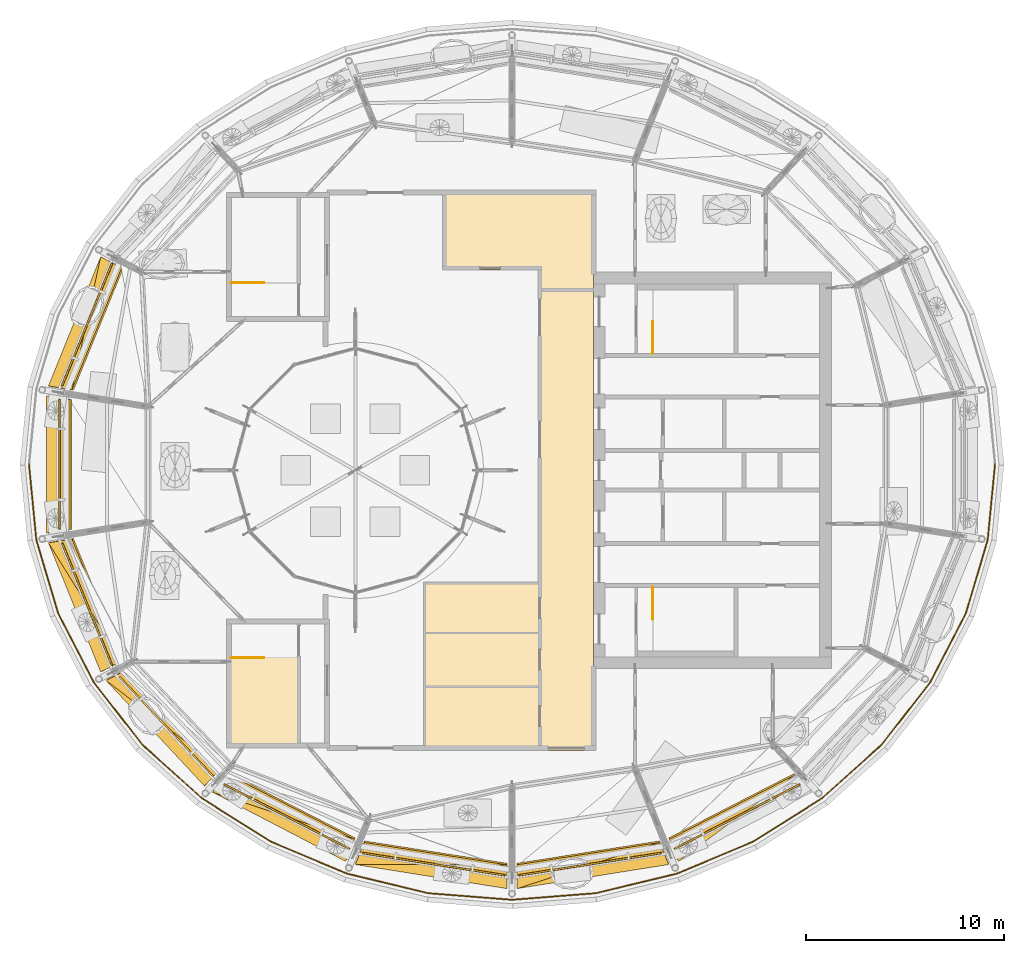
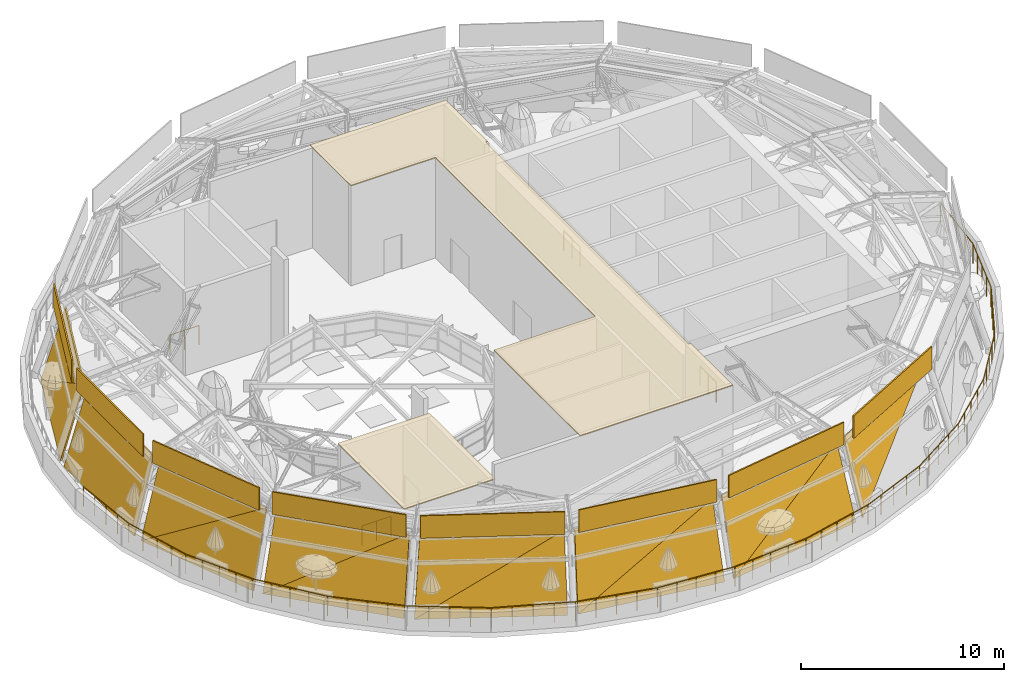
# One storey, part 29 of 40: 22 shading devices, 5 railings, 2 coverings.
"""IFC4 building model written with IfcOpenShell, lengths in metres."""

from ifc_helpers import new_model, si_unit, direction, frame, origin, origin_2d, place, context, subcontext, project, spatial, polyline, circle, outline, extrude, material, layer, layer_set, type_object, element, save


model = new_model("IFC4")

# Units and contexts
model_context = context("Model", 3, precision=1e-05, world=origin(), true_north=direction((0.0, 1.0)))
body_context = subcontext(model_context, "Body", "Model", "MODEL_VIEW")
ifc_project = project(units=[si_unit("LENGTHUNIT", "METRE"), si_unit("AREAUNIT", "SQUARE_METRE"), si_unit("VOLUMEUNIT", "CUBIC_METRE"), si_unit("PLANEANGLEUNIT", "RADIAN"), si_unit("MASSUNIT", "GRAM", prefix="KILO")], contexts=[model_context])

# Site, building, storey
site_placement = place(None, origin())
site = spatial("IfcSite", under=ifc_project, at=site_placement, CompositionType="ELEMENT")
building_placement = place(site_placement, origin())
building = spatial("IfcBuilding", under=site, at=building_placement, Name="Taillehof Tower", CompositionType="ELEMENT")
storey_placement = place(building_placement, frame((0.0, 0.0, 275.199951171875)))
storey = spatial("IfcBuildingStorey", under=building, at=storey_placement, Name="L77", CompositionType="ELEMENT", Elevation=275.199951171875)

# Shading devices
ifc_material_1 = material(Name="Aluminium louvre blades with fritted glass backing", Category="aluminium")
ifc_layer_1 = layer(ifc_material_1, 0.080078125)
ifc_layer_set_1 = layer_set([ifc_layer_1], Name="Crown louvre screen 80")
shading_device_type = type_object("IfcShadingDeviceType", Name="Crown louvre screen 80", PredefinedType="USERDEFINED", material=ifc_layer_set_1)
shading_device_1_placement = place(storey_placement, frame((-20.83642578125, 10.764404296875, 0.0), z_axis=(-0.894517527651, 0.361678422802, 0.262730110959), x_axis=(-0.374847037796, -0.927086672461, 0.0)))
element("IfcShadingDevice", 1, at=shading_device_1_placement, inside=storey, type_object=shading_device_type, Name="Crown louvre screen 8", ObjectType="LOUVER", PredefinedType="USERDEFINED", context=body_context, shape_type="SweptSolid", body=[
    extrude(outline(polyline([(0.0, 0.0), (7.021744372311923, 0.0), (6.751622170263957, 4.45661246007777), (0.0, 0.0)])), origin(), (0.0, 0.0, -1.0), 0.080078125),
])
shading_device_2_placement = place(storey_placement, frame((-20.83642578125, 10.764404296875, 0.0), z_axis=(-0.892051371419, 0.364234228327, 0.267540235597), x_axis=(-0.178657346676, -0.827980230306, 0.531535784968)))
element("IfcShadingDevice", 2, at=shading_device_2_placement, inside=storey, type_object=shading_device_type, Name="Crown louvre screen 8", ObjectType="LOUVER", PredefinedType="USERDEFINED", context=body_context, shape_type="SweptSolid", body=[
    extrude(outline(polyline([(0.0, 0.0), (8.08985763467567, -4.440892098500626e-16), (2.5531978284264696, 3.661848884268732), (0.0, 0.0)])), origin(), (0.0, 0.0, -1.0), 0.080078125),
])
shading_device_3_placement = place(storey_placement, frame((-20.31005859375, 10.42919921875, 4.449951171875), z_axis=(-0.925799840719, 0.378014093553, 0.0), x_axis=(-0.378014093553, -0.925799840719, 0.0)))
element("IfcShadingDevice", 3, at=shading_device_3_placement, inside=storey, type_object=shading_device_type, Name="Crown louvre fascia 8", ObjectType="LOUVER", PredefinedType="USERDEFINED", context=body_context, shape_type="SweptSolid", body=[
    extrude(outline(polyline([(0.0, 0.0), (6.638052354520533, 0.0), (6.638052354520533, 1.35009765625), (0.0, 1.35009765625), (0.0, 0.0)])), origin(), (0.0, 0.0, -1.0), 0.080078125),
])
shading_device_4_placement = place(storey_placement, frame((-23.56494140625, 3.759033203125, 0.0), z_axis=(-0.964003261541, 0.0, 0.265890413023), x_axis=(0.0, -1.0, 0.0)))
element("IfcShadingDevice", 4, at=shading_device_4_placement, inside=storey, type_object=shading_device_type, Name="Crown louvre screen 9", ObjectType="LOUVER", PredefinedType="USERDEFINED", context=body_context, shape_type="SweptSolid", body=[
    extrude(outline(polyline([(0.0, 0.0), (6.91796875, 0.0), (6.72998046875, 4.460616472654889), (0.18798828125, 4.460616472654889), (0.0, 0.0)])), origin(), (0.0, 0.0, -1.0), 0.080078125),
])
shading_device_5_placement = place(storey_placement, frame((-22.958984375, 3.571044921875, 4.449951171875), z_axis=(-1.0, 0.0, 0.0), x_axis=(0.0, -1.0, 0.0)))
element("IfcShadingDevice", 5, at=shading_device_5_placement, inside=storey, type_object=shading_device_type, Name="Crown louvre fascia 9", ObjectType="LOUVER", PredefinedType="USERDEFINED", context=body_context, shape_type="SweptSolid", body=[
    extrude(outline(polyline([(0.0, 0.0), (6.5419921875, 0.0), (6.5419921875, 1.35009765625), (0.0, 1.35009765625), (0.0, 0.0)])), origin(), (0.0, 0.0, -1.0), 0.080078125),
])
shading_device_6_placement = place(storey_placement, frame((-23.468505859375, -3.654541015625, 0.0), z_axis=(-0.893316615685, -0.36119286055, 0.267441847191), x_axis=(0.374847037796, -0.927086672461, 0.0)))
element("IfcShadingDevice", 6, at=shading_device_6_placement, inside=storey, type_object=shading_device_type, Name="Crown louvre screen 10", ObjectType="LOUVER", PredefinedType="USERDEFINED", context=body_context, shape_type="SweptSolid", body=[
    extrude(outline(polyline([(0.0, 0.0), (7.021744372311923, 0.0), (6.908362109357128, 4.462603616110459), (0.0, 0.0)])), origin(), (0.0, 0.0, -1.0), 0.080078125),
])
shading_device_7_placement = place(storey_placement, frame((-23.468505859375, -3.654541015625, 0.0), z_axis=(-0.893329732802, -0.364756197113, 0.262516485501), x_axis=(0.449401465841, -0.724344089305, 0.522842196833)))
element("IfcShadingDevice", 7, at=shading_device_7_placement, inside=storey, type_object=shading_device_type, Name="Crown louvre screen 10", ObjectType="LOUVER", PredefinedType="USERDEFINED", context=body_context, shape_type="SweptSolid", body=[
    extrude(outline(polyline([(0.0, 0.0), (8.224372199051027, 0.0), (2.645237022807718, 3.5968027116538033), (0.0, 0.0)])), origin(), (0.0, 0.0, -1.0), 0.080078125),
])
shading_device_8_placement = place(storey_placement, frame((-22.8193359375, -3.68359375, 4.449951171875), z_axis=(-0.925799840719, -0.378014093553, 0.0), x_axis=(0.378014093553, -0.925799840719, 0.0)))
element("IfcShadingDevice", 8, at=shading_device_8_placement, inside=storey, type_object=shading_device_type, Name="Crown louvre fascia 10", ObjectType="LOUVER", PredefinedType="USERDEFINED", context=body_context, shape_type="SweptSolid", body=[
    extrude(outline(polyline([(0.0, 0.0), (6.638052354520533, 0.0), (6.638052354520533, 1.35009765625), (0.0, 1.35009765625), (0.0, 0.0)])), origin(), (0.0, 0.0, -1.0), 0.080078125),
])
shading_device_9_placement = place(storey_placement, frame((-20.5625, -10.594482421875, 0.0), z_axis=(-0.704767482954, -0.656942242886, 0.267823980408), x_axis=(0.68185174698, -0.731490393061, 0.0)))
element("IfcShadingDevice", 9, at=shading_device_9_placement, inside=storey, type_object=shading_device_type, Name="Crown louvre screen 11", ObjectType="LOUVER", PredefinedType="USERDEFINED", context=body_context, shape_type="SweptSolid", body=[
    extrude(outline(polyline([(0.0, 0.0), (7.274251271583736, 1.1102230246251565e-16), (7.189602981000906, 4.463095252749579), (0.0, 0.0)])), origin(), (0.0, 0.0, -1.0), 0.080078125),
])
shading_device_10_placement = place(storey_placement, frame((-20.5625, -10.594482421875, 0.0), z_axis=(-0.702798124854, -0.662325356368, 0.259614941815), x_axis=(0.682633335329, -0.525166924602, 0.508145088338)))
element("IfcShadingDevice", 10, at=shading_device_10_placement, inside=storey, type_object=shading_device_type, Name="Crown louvre screen 11", ObjectType="LOUVER", PredefinedType="USERDEFINED", context=body_context, shape_type="SweptSolid", body=[
    extrude(outline(polyline([(0.0, 0.0), (8.462246171054877, -8.881784197001252e-16), (2.6217993890202997, 3.613921181420816), (0.0, 0.0)])), origin(), (0.0, 0.0, -1.0), 0.080078125),
])
shading_device_11_placement = place(storey_placement, frame((-19.920654296875, -10.435791015625, 4.449951171875), z_axis=(-0.72775109812, -0.685841336743, 0.0), x_axis=(0.685841336743, -0.72775109812, 0.0)))
element("IfcShadingDevice", 11, at=shading_device_11_placement, inside=storey, type_object=shading_device_type, Name="Crown louvre fascia 11", ObjectType="LOUVER", PredefinedType="USERDEFINED", context=body_context, shape_type="SweptSolid", body=[
    extrude(outline(polyline([(0.0, 0.0), (6.868132564190944, 0.0), (6.868132564190944, 1.35009765625), (0.0, 1.35009765625), (0.0, 0.0)])), origin(), (0.0, 0.0, -1.0), 0.080078125),
])
shading_device_12_placement = place(storey_placement, frame((-15.19140625, -16.22802734375, 0.0), z_axis=(-0.444376540293, -0.855044764784, 0.267260061837), x_axis=(0.887321585278, -0.461151172936, 0.0)))
element("IfcShadingDevice", 12, at=shading_device_12_placement, inside=storey, type_object=shading_device_type, Name="Crown louvre screen 12", ObjectType="LOUVER", PredefinedType="USERDEFINED", context=body_context, shape_type="SweptSolid", body=[
    extrude(outline(polyline([(0.0, 0.0), (7.551584121164838, 0.0), (7.438033103397542, 4.462370042003966), (0.0, 0.0)])), origin(), (0.0, 0.0, -1.0), 0.080078125),
])
shading_device_13_placement = place(storey_placement, frame((-15.19140625, -16.22802734375, 0.0), z_axis=(-0.441127468436, -0.85906559864, 0.259639854076), x_axis=(0.824297790816, -0.273443045748, 0.49574393873)))
element("IfcShadingDevice", 13, at=shading_device_13_placement, inside=storey, type_object=shading_device_type, Name="Crown louvre screen 12", ObjectType="LOUVER", PredefinedType="USERDEFINED", context=body_context, shape_type="SweptSolid", body=[
    extrude(outline(polyline([(0.0, 0.0), (8.673931221713264, 8.881784197001252e-16), (2.5662998963646384, 3.6534834965632794), (0.0, 0.0)])), origin(), (0.0, 0.0, -1.0), 0.080078125),
])
shading_device_14_placement = place(storey_placement, frame((-14.64013671875, -15.863525390625, 4.449951171875), z_axis=(-0.456779007109, -0.889580203616, 0.0), x_axis=(0.889580203616, -0.456779007109, 0.0)))
element("IfcShadingDevice", 14, at=shading_device_14_placement, inside=storey, type_object=shading_device_type, Name="Crown louvre fascia 12", ObjectType="LOUVER", PredefinedType="USERDEFINED", context=body_context, shape_type="SweptSolid", body=[
    extrude(outline(polyline([(0.0, 0.0), (7.117175947027116, 0.0), (7.117175947027116, 1.35009765625), (0.0, 1.35009765625), (0.0, 0.0)])), origin(), (0.0, 0.0, -1.0), 0.080078125),
])
shading_device_15_placement = place(storey_placement, frame((-7.9951171875, -19.873779296875, 0.0), z_axis=(-0.151171065448, -0.952158447279, 0.26559668719), x_axis=(0.987629938417, -0.156802757446, 0.0)))
element("IfcShadingDevice", 15, at=shading_device_15_placement, inside=storey, type_object=shading_device_type, Name="Crown louvre screen 13", ObjectType="LOUVER", PredefinedType="USERDEFINED", context=body_context, shape_type="SweptSolid", body=[
    extrude(outline(polyline([(0.0, 0.0), (7.728907847291047, 0.0), (7.540828758587093, 4.4602418551730985), (0.0, 0.0)])), origin(), (0.0, 0.0, -1.0), 0.080078125),
])
shading_device_16_placement = place(storey_placement, frame((-7.9951171875, -19.873779296875, 0.0), z_axis=(-0.149309139256, -0.953368664135, 0.262287954699), x_axis=(0.871266384913, -0.001421179096, 0.490808380908)))
element("IfcShadingDevice", 16, at=shading_device_16_placement, inside=storey, type_object=shading_device_type, Name="Crown louvre screen 13", ObjectType="LOUVER", PredefinedType="USERDEFINED", context=body_context, shape_type="SweptSolid", body=[
    extrude(outline(polyline([(0.0, 0.0), (8.761156075140548, 0.0), (2.5009462029275813, 3.698095316018139), (0.0, 0.0)])), origin(), (0.0, 0.0, -1.0), 0.080078125),
])
shading_device_17_placement = place(storey_placement, frame((-7.635986328125, -19.333984375, 4.449951171875), z_axis=(-0.154764063388, -0.987951458668, 0.0), x_axis=(0.987951458668, -0.154764063388, 0.0)))
element("IfcShadingDevice", 17, at=shading_device_17_placement, inside=storey, type_object=shading_device_type, Name="Crown louvre fascia 13", ObjectType="LOUVER", PredefinedType="USERDEFINED", context=body_context, shape_type="SweptSolid", body=[
    extrude(outline(polyline([(0.0, 0.0), (7.2707068811221545, 0.0), (7.2707068811221545, 1.35009765625), (0.0, 1.35009765625), (0.0, 0.0)])), origin(), (0.0, 0.0, -1.0), 0.080078125),
])
shading_device_18_placement = place(storey_placement, frame((0.161865234375, -21.085693359375, 0.0), z_axis=(0.151307960214, -0.953020685747, 0.262407076343), x_axis=(0.987629938417, 0.156802757446, 0.0)))
element("IfcShadingDevice", 18, at=shading_device_18_placement, inside=storey, type_object=shading_device_type, Name="Crown louvre screen 14", ObjectType="LOUVER", PredefinedType="USERDEFINED", context=body_context, shape_type="SweptSolid", body=[
    extrude(outline(polyline([(0.0, 0.0), (7.728907847291047, 0.0), (7.45897332316466, 4.45620648410482), (0.0, 0.0)])), origin(), (0.0, 0.0, -1.0), 0.080078125),
])
shading_device_19_placement = place(storey_placement, frame((0.161865234375, -21.085693359375, 0.0), z_axis=(0.149165557211, -0.952451864109, 0.265678533377), x_axis=(0.826743168464, 0.26752614305, 0.494899480888)))
element("IfcShadingDevice", 19, at=shading_device_19_placement, inside=storey, type_object=shading_device_type, Name="Crown louvre screen 14", ObjectType="LOUVER", PredefinedType="USERDEFINED", context=body_context, shape_type="SweptSolid", body=[
    extrude(outline(polyline([(0.0, 0.0), (8.688731740861833, -4.440892098500626e-16), (2.448979613690799, 3.7325098796885365), (0.0, 0.0)])), origin(), (0.0, 0.0, -1.0), 0.080078125),
])
shading_device_20_placement = place(storey_placement, frame((0.2529296875, -20.459228515625, 4.449951171875), z_axis=(0.154764063388, -0.987951458668, 0.0), x_axis=(0.987951458668, 0.154764063388, 0.0)))
element("IfcShadingDevice", 20, at=shading_device_20_placement, inside=storey, type_object=shading_device_type, Name="Crown louvre fascia 14", ObjectType="LOUVER", PredefinedType="USERDEFINED", context=body_context, shape_type="SweptSolid", body=[
    extrude(outline(polyline([(0.0, 0.0), (7.2707068811221545, 0.0), (7.2707068811221545, 1.35009765625), (0.0, 1.35009765625), (0.0, 0.0)])), origin(), (0.0, 0.0, -1.0), 0.080078125),
])
shading_device_21_placement = place(storey_placement, frame((8.290771484375, -19.71044921875, 0.0), z_axis=(0.440146120475, -0.857187544479, 0.267396533676), x_axis=(0.692653418884, 0.513624992876, 0.506379904815)))
element("IfcShadingDevice", 21, at=shading_device_21_placement, inside=storey, type_object=shading_device_type, Name="Crown louvre screen 15", ObjectType="LOUVER", PredefinedType="USERDEFINED", context=body_context, shape_type="SweptSolid", body=[
    extrude(outline(polyline([(0.0, 0.0), (8.491744611573932, 4.440892098500626e-16), (2.4365660185399456, 3.7401879187287213), (0.0, 0.0)])), origin(), (0.0, 0.0, -1.0), 0.080078125),
])
shading_device_22_placement = place(storey_placement, frame((8.10888671875, -19.114501953125, 4.449951171875), z_axis=(0.456779007109, -0.889580203616, 0.0), x_axis=(0.889580203616, 0.456779007109, 0.0)))
element("IfcShadingDevice", 22, at=shading_device_22_placement, inside=storey, type_object=shading_device_type, Name="Crown louvre fascia 15", ObjectType="LOUVER", PredefinedType="USERDEFINED", context=body_context, shape_type="SweptSolid", body=[
    extrude(outline(polyline([(0.0, 0.0), (7.117175947027116, 0.0), (7.117175947027116, 1.35009765625), (0.0, 1.35009765625), (0.0, 0.0)])), origin(), (0.0, 0.0, -1.0), 0.080078125),
])

# Coverings
ifc_material_2 = material(Name="Aluminium standing-seam roof deck", Category="aluminium")
ifc_layer_2 = layer(ifc_material_2, 0.050048828125)
ifc_layer_set_2 = layer_set([ifc_layer_2], Name="Crown roof covering 50")
covering_type = type_object("IfcCoveringType", Name="Crown roof covering 50", PredefinedType="MEMBRANE", material=ifc_layer_set_2)
covering_1_placement = place(storey_placement, frame((0.0, 0.0, 6.0)))
element("IfcCovering", 23, at=covering_1_placement, inside=storey, type_object=covering_type, Name="Roof covering crown pavilion", PredefinedType="MEMBRANE", context=body_context, shape_type="SweptSolid", body=[
    extrude(outline(polyline([(-4.5625, -5.637451171875), (1.199951171875, -5.637451171875), (1.199951171875, 10.10009765625), (-3.60009765625, 10.10009765625), (-3.60009765625, 14.125), (4.125, 14.125), (4.125, 10.0), (4.0, 10.0), (4.0, -10.0), (4.125, -10.0), (4.125, -14.125), (-4.5625, -14.125), (-4.5625, -5.637451171875)])), origin(), (0.0, 0.0, 1.0), 0.050048828125),
])
covering_2_placement = place(storey_placement, frame((0.0, 0.0, 5.0)))
element("IfcCovering", 24, at=covering_2_placement, inside=storey, type_object=covering_type, Name="Roof covering stair tower S4", PredefinedType="MEMBRANE", context=body_context, shape_type="SweptSolid", body=[
    extrude(outline(polyline([(-9.300048828125, -14.0), (-14.5, -14.0), (-14.5, -7.5), (-9.300048828125, -7.5), (-9.300048828125, -14.0)])), origin(), (0.0, 0.0, 1.0), 0.050048828125),
])

# Railings
ifc_material_3 = material(Name="Stainless steel balustrade", Category="steel")
railing_type_1 = type_object("IfcRailingType", Name="Roof terrace guard 1200", PredefinedType="GUARDRAIL", material=ifc_material_3)
railing_1_placement = place(storey_placement, frame((-24.449951171875, 0.300048828125, 0.0)))
element("IfcRailing", 25, at=railing_1_placement, inside=storey, type_object=railing_type_1, Name="Roof terrace guard", PredefinedType="GUARDRAIL", context=body_context, shape_type="SweptSolid", body=[
    extrude(circle(Radius=0.02392578125, at=origin_2d()), frame((0.0, 0.0, 1.17578125), z_axis=(0.09671257273, -0.995312352117, 0.0), x_axis=(0.995312352117, 0.09671257273, 0.0)), (0.0, 0.0, 1.0), 3.837158203125),
    extrude(circle(Radius=0.02392578125, at=origin_2d()), frame((0.37109375, -3.819091796875, 1.17578125), z_axis=(0.28534069682, -0.958426150905, 0.0), x_axis=(0.958426150905, 0.28534069682, 0.0)), (0.0, 0.0, 1.0), 3.8623046875),
    extrude(circle(Radius=0.02392578125, at=origin_2d()), frame((1.47314453125, -7.520751953125, 1.17578125), z_axis=(0.460007249014, -0.887915159717, 0.0), x_axis=(0.887915159717, 0.460007249014, 0.0)), (0.0, 0.0, 1.0), 3.909423828125),
    extrude(circle(Radius=0.02392578125, at=origin_2d()), frame((3.271484375, -10.991943359375, 1.17578125), z_axis=(0.614106558079, -0.789223121382, 0.0), x_axis=(0.789223121382, 0.614106558079, 0.0)), (0.0, 0.0, 1.0), 3.971923828125),
    extrude(circle(Radius=0.02392578125, at=origin_2d()), frame((5.710693359375, -14.126708984375, 1.17578125), z_axis=(0.743396265935, -0.668851247882, 0.0), x_axis=(0.668851247882, 0.743396265935, 0.0)), (0.0, 0.0, 1.0), 4.04150390625),
    extrude(circle(Radius=0.02392578125, at=origin_2d()), frame((8.715087890625, -16.829833984375, 1.17578125), z_axis=(0.846174300537, -0.532906232944, 0.0), x_axis=(0.532906232944, 0.846174300537, 0.0)), (0.0, 0.0, 1.0), 4.109375),
    extrude(circle(Radius=0.02392578125, at=origin_2d()), frame((12.1923828125, -19.019775390625, 1.17578125), z_axis=(0.922180230283, -0.386760420513, 0.0), x_axis=(0.386760420513, 0.922180230283, 0.0)), (0.0, 0.0, 1.0), 4.168212890625),
    extrude(circle(Radius=0.02392578125, at=origin_2d()), frame((16.0361328125, -20.6318359375, 1.17578125), z_axis=(0.972177439699, -0.234245652555, 0.0), x_axis=(0.234245652555, 0.972177439699, 0.0)), (0.0, 0.0, 1.0), 4.210693359375),
    extrude(circle(Radius=0.02392578125, at=origin_2d()), frame((20.129638671875, -21.6181640625, 1.17578125), z_axis=(0.996923815767, -0.078376690132, 0.0), x_axis=(0.078376690132, 0.996923815767, 0.0)), (0.0, 0.0, 1.0), 4.233154296875),
    extrude(circle(Radius=0.02392578125, at=origin_2d()), frame((24.349853515625, -21.949951171875, 1.17578125), z_axis=(0.996924170012, 0.07837218413, 0.0), x_axis=(-0.07837218413, 0.996924170012, 0.0)), (0.0, 0.0, 1.0), 4.2333984375),
    extrude(circle(Radius=0.02392578125, at=origin_2d()), frame((28.5703125, -21.6181640625, 1.17578125), z_axis=(0.972177439699, 0.234245652555, 0.0), x_axis=(-0.234245652555, 0.972177439699, 0.0)), (0.0, 0.0, 1.0), 4.210693359375),
    extrude(circle(Radius=0.02392578125, at=origin_2d()), frame((32.663818359375, -20.6318359375, 1.17578125), z_axis=(0.922180230283, 0.386760420513, 0.0), x_axis=(-0.386760420513, 0.922180230283, 0.0)), (0.0, 0.0, 1.0), 4.168212890625),
    extrude(circle(Radius=0.02392578125, at=origin_2d()), frame((36.507568359375, -19.019775390625, 1.17578125), z_axis=(0.846174300537, 0.532906232944, 0.0), x_axis=(-0.532906232944, 0.846174300537, 0.0)), (0.0, 0.0, 1.0), 4.109375),
    extrude(circle(Radius=0.02392578125, at=origin_2d()), frame((39.98486328125, -16.829833984375, 1.17578125), z_axis=(0.743396265935, 0.668851247882, 0.0), x_axis=(-0.668851247882, 0.743396265935, 0.0)), (0.0, 0.0, 1.0), 4.04150390625),
    extrude(circle(Radius=0.02392578125, at=origin_2d()), frame((42.9892578125, -14.126708984375, 1.17578125), z_axis=(0.614106558079, 0.789223121382, 0.0), x_axis=(-0.789223121382, 0.614106558079, 0.0)), (0.0, 0.0, 1.0), 3.971923828125),
    extrude(circle(Radius=0.02392578125, at=origin_2d()), frame((45.428466796875, -10.991943359375, 1.17578125), z_axis=(0.460007249014, 0.887915159717, 0.0), x_axis=(-0.887915159717, 0.460007249014, 0.0)), (0.0, 0.0, 1.0), 3.909423828125),
    extrude(circle(Radius=0.02392578125, at=origin_2d()), frame((47.226806640625, -7.520751953125, 1.17578125), z_axis=(0.28534069682, 0.958426150905, 0.0), x_axis=(-0.958426150905, 0.28534069682, 0.0)), (0.0, 0.0, 1.0), 3.8623046875),
    extrude(circle(Radius=0.02392578125, at=origin_2d()), frame((48.328857421875, -3.819091796875, 1.17578125), z_axis=(0.09671257273, 0.995312352117, 0.0), x_axis=(-0.995312352117, 0.09671257273, 0.0)), (0.0, 0.0, 1.0), 3.837158203125),
    extrude(circle(Radius=0.02099609375, at=origin_2d()), origin(), (0.0, 0.0, 1.0), 1.15185546875),
    extrude(circle(Radius=0.02099609375, at=origin_2d()), frame((0.0927734375, -0.954833984375, 0.0)), (0.0, 0.0, 1.0), 1.15185546875),
    extrude(circle(Radius=0.02099609375, at=origin_2d()), frame((0.185546875, -1.90966796875, 0.0)), (0.0, 0.0, 1.0), 1.15185546875),
    extrude(circle(Radius=0.02099609375, at=origin_2d()), frame((0.2783203125, -2.8642578125, 0.0)), (0.0, 0.0, 1.0), 1.15185546875),
    extrude(circle(Radius=0.02099609375, at=origin_2d()), frame((0.37109375, -3.819091796875, 0.0)), (0.0, 0.0, 1.0), 1.15185546875),
    extrude(circle(Radius=0.02099609375, at=origin_2d()), frame((0.646484375, -4.74462890625, 0.0)), (0.0, 0.0, 1.0), 1.15185546875),
    extrude(circle(Radius=0.02099609375, at=origin_2d()), frame((0.922119140625, -5.669921875, 0.0)), (0.0, 0.0, 1.0), 1.15185546875),
    extrude(circle(Radius=0.02099609375, at=origin_2d()), frame((1.19775390625, -6.59521484375, 0.0)), (0.0, 0.0, 1.0), 1.15185546875),
    extrude(circle(Radius=0.02099609375, at=origin_2d()), frame((1.47314453125, -7.520751953125, 0.0)), (0.0, 0.0, 1.0), 1.15185546875),
    extrude(circle(Radius=0.02099609375, at=origin_2d()), frame((1.9228515625, -8.388671875, 0.0)), (0.0, 0.0, 1.0), 1.15185546875),
    extrude(circle(Radius=0.02099609375, at=origin_2d()), frame((2.372314453125, -9.25634765625, 0.0)), (0.0, 0.0, 1.0), 1.15185546875),
    extrude(circle(Radius=0.02099609375, at=origin_2d()), frame((2.82177734375, -10.1240234375, 0.0)), (0.0, 0.0, 1.0), 1.15185546875),
    extrude(circle(Radius=0.02099609375, at=origin_2d()), frame((3.271484375, -10.991943359375, 0.0)), (0.0, 0.0, 1.0), 1.15185546875),
    extrude(circle(Radius=0.02099609375, at=origin_2d()), frame((3.88134765625, -11.775634765625, 0.0)), (0.0, 0.0, 1.0), 1.15185546875),
    extrude(circle(Radius=0.02099609375, at=origin_2d()), frame((4.4912109375, -12.559326171875, 0.0)), (0.0, 0.0, 1.0), 1.15185546875),
    extrude(circle(Radius=0.02099609375, at=origin_2d()), frame((5.100830078125, -13.343017578125, 0.0)), (0.0, 0.0, 1.0), 1.15185546875),
    extrude(circle(Radius=0.02099609375, at=origin_2d()), frame((5.710693359375, -14.126708984375, 0.0)), (0.0, 0.0, 1.0), 1.15185546875),
    extrude(circle(Radius=0.02099609375, at=origin_2d()), frame((6.4619140625, -14.802490234375, 0.0)), (0.0, 0.0, 1.0), 1.15185546875),
    extrude(circle(Radius=0.02099609375, at=origin_2d()), frame((7.212890625, -15.478271484375, 0.0)), (0.0, 0.0, 1.0), 1.15185546875),
    extrude(circle(Radius=0.02099609375, at=origin_2d()), frame((7.9638671875, -16.154052734375, 0.0)), (0.0, 0.0, 1.0), 1.15185546875),
    extrude(circle(Radius=0.02099609375, at=origin_2d()), frame((8.715087890625, -16.829833984375, 0.0)), (0.0, 0.0, 1.0), 1.15185546875),
    extrude(circle(Radius=0.02099609375, at=origin_2d()), frame((9.58447265625, -17.37744140625, 0.0)), (0.0, 0.0, 1.0), 1.15185546875),
    extrude(circle(Radius=0.02099609375, at=origin_2d()), frame((10.45361328125, -17.9248046875, 0.0)), (0.0, 0.0, 1.0), 1.15185546875),
    extrude(circle(Radius=0.02099609375, at=origin_2d()), frame((11.322998046875, -18.47216796875, 0.0)), (0.0, 0.0, 1.0), 1.15185546875),
    extrude(circle(Radius=0.02099609375, at=origin_2d()), frame((12.1923828125, -19.019775390625, 0.0)), (0.0, 0.0, 1.0), 1.15185546875),
    extrude(circle(Radius=0.02099609375, at=origin_2d()), frame((13.1533203125, -19.4228515625, 0.0)), (0.0, 0.0, 1.0), 1.15185546875),
    extrude(circle(Radius=0.02099609375, at=origin_2d()), frame((14.1142578125, -19.82568359375, 0.0)), (0.0, 0.0, 1.0), 1.15185546875),
    extrude(circle(Radius=0.02099609375, at=origin_2d()), frame((15.0751953125, -20.228759765625, 0.0)), (0.0, 0.0, 1.0), 1.15185546875),
    extrude(circle(Radius=0.02099609375, at=origin_2d()), frame((16.0361328125, -20.6318359375, 0.0)), (0.0, 0.0, 1.0), 1.15185546875),
    extrude(circle(Radius=0.02099609375, at=origin_2d()), frame((17.0595703125, -20.87841796875, 0.0)), (0.0, 0.0, 1.0), 1.15185546875),
    extrude(circle(Radius=0.02099609375, at=origin_2d()), frame((18.0830078125, -21.125, 0.0)), (0.0, 0.0, 1.0), 1.15185546875),
    extrude(circle(Radius=0.02099609375, at=origin_2d()), frame((19.106201171875, -21.37158203125, 0.0)), (0.0, 0.0, 1.0), 1.15185546875),
    extrude(circle(Radius=0.02099609375, at=origin_2d()), frame((20.129638671875, -21.6181640625, 0.0)), (0.0, 0.0, 1.0), 1.15185546875),
    extrude(circle(Radius=0.02099609375, at=origin_2d()), frame((21.1845703125, -21.701171875, 0.0)), (0.0, 0.0, 1.0), 1.15185546875),
    extrude(circle(Radius=0.02099609375, at=origin_2d()), frame((22.23974609375, -21.7841796875, 0.0)), (0.0, 0.0, 1.0), 1.15185546875),
    extrude(circle(Radius=0.02099609375, at=origin_2d()), frame((23.294921875, -21.866943359375, 0.0)), (0.0, 0.0, 1.0), 1.15185546875),
    extrude(circle(Radius=0.02099609375, at=origin_2d()), frame((24.349853515625, -21.949951171875, 0.0)), (0.0, 0.0, 1.0), 1.15185546875),
    extrude(circle(Radius=0.02099609375, at=origin_2d()), frame((25.405029296875, -21.866943359375, 0.0)), (0.0, 0.0, 1.0), 1.15185546875),
    extrude(circle(Radius=0.02099609375, at=origin_2d()), frame((26.4599609375, -21.7841796875, 0.0)), (0.0, 0.0, 1.0), 1.15185546875),
    extrude(circle(Radius=0.02099609375, at=origin_2d()), frame((27.51513671875, -21.701171875, 0.0)), (0.0, 0.0, 1.0), 1.15185546875),
    extrude(circle(Radius=0.02099609375, at=origin_2d()), frame((28.5703125, -21.6181640625, 0.0)), (0.0, 0.0, 1.0), 1.15185546875),
    extrude(circle(Radius=0.02099609375, at=origin_2d()), frame((29.59375, -21.37158203125, 0.0)), (0.0, 0.0, 1.0), 1.15185546875),
    extrude(circle(Radius=0.02099609375, at=origin_2d()), frame((30.6171875, -21.125, 0.0)), (0.0, 0.0, 1.0), 1.15185546875),
    extrude(circle(Radius=0.02099609375, at=origin_2d()), frame((31.640380859375, -20.87841796875, 0.0)), (0.0, 0.0, 1.0), 1.15185546875),
    extrude(circle(Radius=0.02099609375, at=origin_2d()), frame((32.663818359375, -20.6318359375, 0.0)), (0.0, 0.0, 1.0), 1.15185546875),
    extrude(circle(Radius=0.02099609375, at=origin_2d()), frame((33.624755859375, -20.228759765625, 0.0)), (0.0, 0.0, 1.0), 1.15185546875),
    extrude(circle(Radius=0.02099609375, at=origin_2d()), frame((34.585693359375, -19.82568359375, 0.0)), (0.0, 0.0, 1.0), 1.15185546875),
    extrude(circle(Radius=0.02099609375, at=origin_2d()), frame((35.546630859375, -19.4228515625, 0.0)), (0.0, 0.0, 1.0), 1.15185546875),
    extrude(circle(Radius=0.02099609375, at=origin_2d()), frame((36.507568359375, -19.019775390625, 0.0)), (0.0, 0.0, 1.0), 1.15185546875),
    extrude(circle(Radius=0.02099609375, at=origin_2d()), frame((37.376953125, -18.47216796875, 0.0)), (0.0, 0.0, 1.0), 1.15185546875),
    extrude(circle(Radius=0.02099609375, at=origin_2d()), frame((38.24609375, -17.9248046875, 0.0)), (0.0, 0.0, 1.0), 1.15185546875),
    extrude(circle(Radius=0.02099609375, at=origin_2d()), frame((39.115478515625, -17.37744140625, 0.0)), (0.0, 0.0, 1.0), 1.15185546875),
    extrude(circle(Radius=0.02099609375, at=origin_2d()), frame((39.98486328125, -16.829833984375, 0.0)), (0.0, 0.0, 1.0), 1.15185546875),
    extrude(circle(Radius=0.02099609375, at=origin_2d()), frame((40.73583984375, -16.154052734375, 0.0)), (0.0, 0.0, 1.0), 1.15185546875),
    extrude(circle(Radius=0.02099609375, at=origin_2d()), frame((41.487060546875, -15.478271484375, 0.0)), (0.0, 0.0, 1.0), 1.15185546875),
    extrude(circle(Radius=0.02099609375, at=origin_2d()), frame((42.23828125, -14.802490234375, 0.0)), (0.0, 0.0, 1.0), 1.15185546875),
    extrude(circle(Radius=0.02099609375, at=origin_2d()), frame((42.9892578125, -14.126708984375, 0.0)), (0.0, 0.0, 1.0), 1.15185546875),
    extrude(circle(Radius=0.02099609375, at=origin_2d()), frame((43.59912109375, -13.343017578125, 0.0)), (0.0, 0.0, 1.0), 1.15185546875),
    extrude(circle(Radius=0.02099609375, at=origin_2d()), frame((44.208984375, -12.559326171875, 0.0)), (0.0, 0.0, 1.0), 1.15185546875),
    extrude(circle(Radius=0.02099609375, at=origin_2d()), frame((44.818603515625, -11.775634765625, 0.0)), (0.0, 0.0, 1.0), 1.15185546875),
    extrude(circle(Radius=0.02099609375, at=origin_2d()), frame((45.428466796875, -10.991943359375, 0.0)), (0.0, 0.0, 1.0), 1.15185546875),
    extrude(circle(Radius=0.02099609375, at=origin_2d()), frame((45.8779296875, -10.1240234375, 0.0)), (0.0, 0.0, 1.0), 1.15185546875),
    extrude(circle(Radius=0.02099609375, at=origin_2d()), frame((46.32763671875, -9.25634765625, 0.0)), (0.0, 0.0, 1.0), 1.15185546875),
    extrude(circle(Radius=0.02099609375, at=origin_2d()), frame((46.77734375, -8.388671875, 0.0)), (0.0, 0.0, 1.0), 1.15185546875),
    extrude(circle(Radius=0.02099609375, at=origin_2d()), frame((47.226806640625, -7.520751953125, 0.0)), (0.0, 0.0, 1.0), 1.15185546875),
    extrude(circle(Radius=0.02099609375, at=origin_2d()), frame((47.50244140625, -6.59521484375, 0.0)), (0.0, 0.0, 1.0), 1.15185546875),
    extrude(circle(Radius=0.02099609375, at=origin_2d()), frame((47.77783203125, -5.669921875, 0.0)), (0.0, 0.0, 1.0), 1.15185546875),
    extrude(circle(Radius=0.02099609375, at=origin_2d()), frame((48.05322265625, -4.74462890625, 0.0)), (0.0, 0.0, 1.0), 1.15185546875),
    extrude(circle(Radius=0.02099609375, at=origin_2d()), frame((48.328857421875, -3.819091796875, 0.0)), (0.0, 0.0, 1.0), 1.15185546875),
    extrude(circle(Radius=0.02099609375, at=origin_2d()), frame((48.421630859375, -2.8642578125, 0.0)), (0.0, 0.0, 1.0), 1.15185546875),
    extrude(circle(Radius=0.02099609375, at=origin_2d()), frame((48.514404296875, -1.90966796875, 0.0)), (0.0, 0.0, 1.0), 1.15185546875),
    extrude(circle(Radius=0.02099609375, at=origin_2d()), frame((48.607177734375, -0.954833984375, 0.0)), (0.0, 0.0, 1.0), 1.15185546875),
    extrude(circle(Radius=0.02099609375, at=origin_2d()), frame((48.699951171875, 0.0, 0.0)), (0.0, 0.0, 1.0), 1.15185546875),
])
ifc_material_4 = material(Name="Stainless steel", Category="steel")
railing_type_2 = type_object("IfcRailingType", Name="Stair guard 1200", PredefinedType="GUARDRAIL", material=ifc_material_4)
railing_2_placement = place(storey_placement, frame((7.0, 5.89990234375, 0.0)))
element("IfcRailing", 26, at=railing_2_placement, inside=storey, type_object=railing_type_2, Name="Stair S1 guard", PredefinedType="GUARDRAIL", context=body_context, shape_type="SweptSolid", body=[
    extrude(circle(Radius=0.02392578125, at=origin_2d()), frame((0.0, 0.0, 1.17578125), z_axis=(0.0, 1.0, 0.0), x_axis=(-1.0, 0.0, 0.0)), (0.0, 0.0, 1.0), 1.60009765625),
    extrude(circle(Radius=0.02099609375, at=origin_2d()), origin(), (0.0, 0.0, 1.0), 1.15185546875),
    extrude(circle(Radius=0.02099609375, at=origin_2d()), frame((0.0, 0.800048828125, 0.0)), (0.0, 0.0, 1.0), 1.15185546875),
    extrude(circle(Radius=0.02099609375, at=origin_2d()), frame((0.0, 1.60009765625, 0.0)), (0.0, 0.0, 1.0), 1.15185546875),
])
railing_3_placement = place(storey_placement, frame((7.0, -5.89990234375, 0.0)))
element("IfcRailing", 27, at=railing_3_placement, inside=storey, type_object=railing_type_2, Name="Stair S2 guard", PredefinedType="GUARDRAIL", context=body_context, shape_type="SweptSolid", body=[
    extrude(circle(Radius=0.02392578125, at=origin_2d()), frame((0.0, 0.0, 1.17578125), z_axis=(0.0, -1.0, 0.0), x_axis=(1.0, 0.0, 0.0)), (0.0, 0.0, 1.0), 1.60009765625),
    extrude(circle(Radius=0.02099609375, at=origin_2d()), origin(), (0.0, 0.0, 1.0), 1.15185546875),
    extrude(circle(Radius=0.02099609375, at=origin_2d()), frame((0.0, -0.800048828125, 0.0)), (0.0, 0.0, 1.0), 1.15185546875),
    extrude(circle(Radius=0.02099609375, at=origin_2d()), frame((0.0, -1.60009765625, 0.0)), (0.0, 0.0, 1.0), 1.15185546875),
])
for number, where, name in (
    (28, (-14.25, 9.449951171875, 0.0), "Stair S3 guard"),
    (29, (-14.25, -9.449951171875, 0.0), "Stair S4 guard"),
):
    element("IfcRailing", number, at=place(storey_placement, frame(where)), inside=storey, type_object=railing_type_2, Name=name, PredefinedType="GUARDRAIL", context=body_context, shape_type="SweptSolid", body=[
        extrude(circle(Radius=0.02392578125, at=origin_2d()), frame((0.0, 0.0, 1.17578125), z_axis=(1.0, 0.0, 0.0), x_axis=(0.0, 1.0, 0.0)), (0.0, 0.0, 1.0), 1.64990234375),
        extrude(circle(Radius=0.02099609375, at=origin_2d()), origin(), (0.0, 0.0, 1.0), 1.15185546875),
        extrude(circle(Radius=0.02099609375, at=origin_2d()), frame((0.824951171875, 0.0, 0.0)), (0.0, 0.0, 1.0), 1.15185546875),
        extrude(circle(Radius=0.02099609375, at=origin_2d()), frame((1.64990234375, 0.0, 0.0)), (0.0, 0.0, 1.0), 1.15185546875),
    ])

save(model, "model.ifc")
